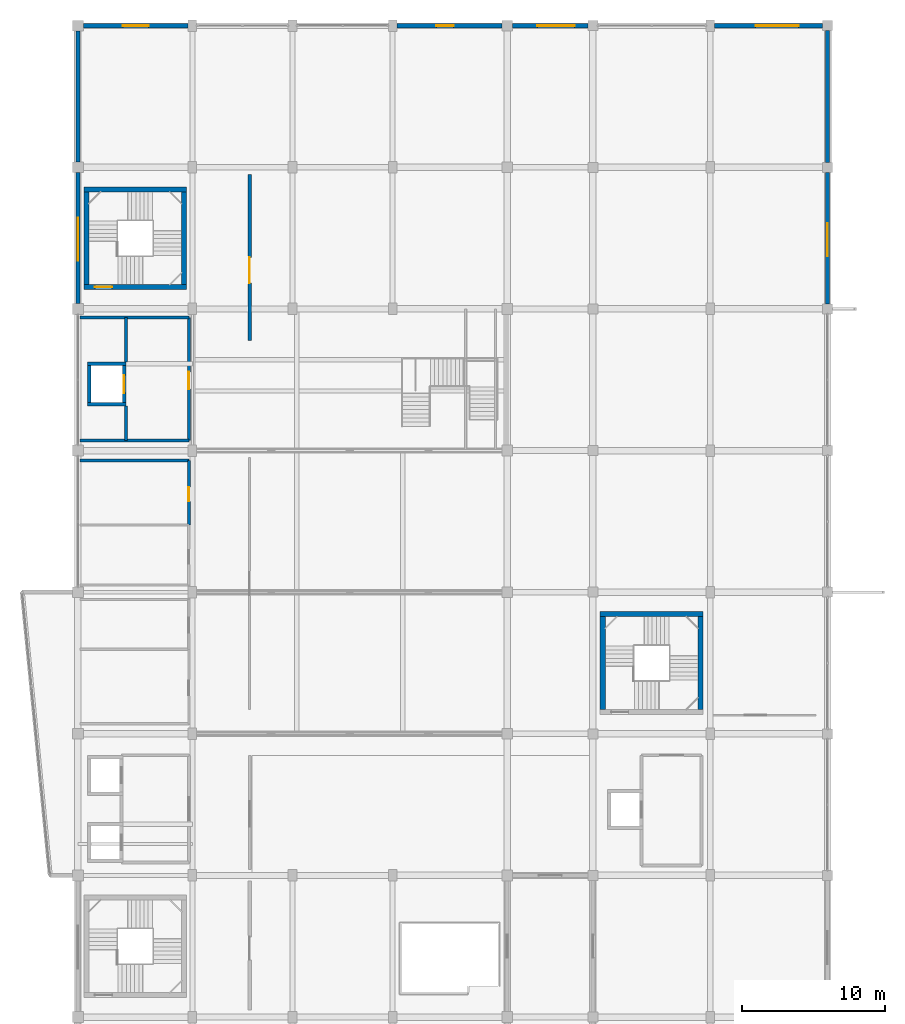
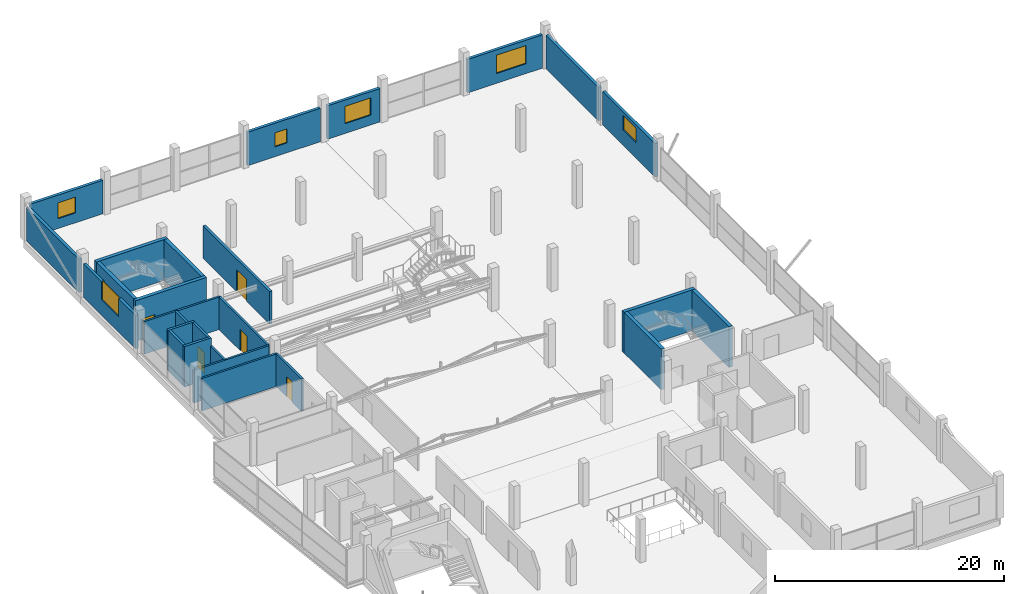
# One storey, part 38 of 49: 27 walls, 6 windows, 5 doors, 11 openings.
"""IFC4 building model written with IfcOpenShell, lengths in metres."""

from ifc_helpers import new_model, si_unit, direction, frame, frame_2d, origin, place, context, subcontext, project, spatial, rectangle, extrude, material, layer, layer_set, type_object, element, fill, save


model = new_model("IFC4")

# Units and contexts
model_context = context("Model", 3, precision=1e-05, world=origin(), true_north=direction((0.0, 1.0)))
body_context = subcontext(model_context, "Body", "Model", "MODEL_VIEW")
ifc_project = project(units=[si_unit("LENGTHUNIT", "METRE"), si_unit("AREAUNIT", "SQUARE_METRE"), si_unit("VOLUMEUNIT", "CUBIC_METRE"), si_unit("PLANEANGLEUNIT", "RADIAN"), si_unit("MASSUNIT", "GRAM", prefix="KILO")], contexts=[model_context])

# Site, building, storey
site_placement = place(None, origin())
site = spatial("IfcSite", under=ifc_project, at=site_placement, CompositionType="ELEMENT")
building_placement = place(site_placement, origin())
building = spatial("IfcBuilding", under=site, at=building_placement, Name="Sillaruma Civic Art Gallery", CompositionType="ELEMENT")
storey_placement = place(building_placement, frame((0.0, 0.0, 33.14990234375)))
storey = spatial("IfcBuildingStorey", under=building, at=storey_placement, Name="L06", CompositionType="ELEMENT", Elevation=33.14990234375)

# Wall, opening, door
ifc_material_1 = material(Name="Concrete H40 (40 MPa)", Category="concrete")
ifc_layer_1 = layer(ifc_material_1, 0.35009765625, Name="Concrete H40 (40 MPa)")
ifc_layer_set_1 = layer_set([ifc_layer_1], Name="Concrete H40 (40 MPa)")
wall_type_1 = type_object("IfcWallType", Name="WAL-CORE-350", PredefinedType="SHEAR", material=ifc_layer_set_1)
wall_1_placement = place(storey_placement, frame((62.409912109375, 80.735107421875, 0.0), z_axis=(0.0, 0.0, 1.0), x_axis=(1.0, 0.0, 0.0)))
wall_1 = element("IfcWall", 1, at=wall_1_placement, inside=storey, type_object=wall_type_1, Name="Stair Core Shear Wall W-CORE-350 (ST-02:L06:S)", PredefinedType="SHEAR", context=body_context, shape_type="SweptSolid", body=[
    extrude(rectangle(XDim=7.18017578125, YDim=0.35009765625, at=frame_2d((3.590087890625, 0.0))), origin(), (0.0, 0.0, 1.0), 4.35009765625),
])
opening_1_placement = place(wall_1_placement, frame((0.77001953125, 0.0, 0.0)))
opening_1 = element("IfcOpeningElement", 2, at=opening_1_placement, cuts=wall_1, Name="Opening D-STAIR", PredefinedType="OPENING", context=body_context, shape_type="SweptSolid", body=[
    extrude(rectangle(XDim=1.199951171875, YDim=2.199951171875, at=frame_2d((0.60009765625, 1.10009765625))), frame((0.0, 0.18505859375, 0.0), z_axis=(0.0, -1.0, 0.0), x_axis=(1.0, 0.0, 0.0)), (0.0, 0.0, 1.0), 0.3701171875),
])
ifc_material_2 = material(Name="Galvanised Steel ASTM A653 Gr.50", Category="steel")
door_type_1 = type_object("IfcDoorType", Name="DOR-STAIR-120", OperationType="NOTDEFINED", PredefinedType="DOOR", material=ifc_material_2)
door_1_placement = place(opening_1_placement, origin())
door_1 = element("IfcDoor", 3, at=door_1_placement, inside=storey, type_object=door_type_1, Name="Protected Stair Fire Door (ST-02:L06)", OperationType="SINGLE_SWING_RIGHT", OverallHeight=2.199951171875, OverallWidth=1.199951171875, PredefinedType="DOOR", context=body_context, shape_type="SweptSolid", body=[
    extrude(rectangle(XDim=1.199951171875, YDim=2.199951171875, at=frame_2d((0.60009765625, 1.10009765625))), frame((0.0, 0.02490234375, 0.0), z_axis=(0.0, -1.0, 0.0), x_axis=(1.0, 0.0, 0.0)), (0.0, 0.0, 1.0), 0.050048828125),
])
fill(opening_1, door_1)

# Walls
wall_2_placement = place(storey_placement, frame((62.409912109375, 87.56494140625, 0.0), z_axis=(0.0, 0.0, 1.0), x_axis=(1.0, 0.0, 0.0)))
element("IfcWall", 4, at=wall_2_placement, inside=storey, type_object=wall_type_1, Name="Stair Core Shear Wall W-CORE-350 (ST-02:L06:N)", PredefinedType="SHEAR", context=body_context, shape_type="SweptSolid", body=[
    extrude(rectangle(XDim=7.18017578125, YDim=0.35009765625, at=frame_2d((3.590087890625, 0.0))), origin(), (0.0, 0.0, 1.0), 4.35009765625),
])
for number, where, z_axis, x_axis, name in (
    (5, (62.5849609375, 80.909912109375, 0.0), (0.0, 0.0, 1.0), (0.0, 1.0, 0.0), "Stair Core Shear Wall W-CORE-350 (ST-02:L06:W)"),
    (6, (69.4150390625, 80.909912109375, 0.0), (0.0, 0.0, 1.0), (0.0, 1.0, 0.0), "Stair Core Shear Wall W-CORE-350 (ST-02:L06:E)"),
):
    element("IfcWall", number, at=place(storey_placement, frame(where, z_axis=z_axis, x_axis=x_axis)), inside=storey, type_object=wall_type_1, Name=name, PredefinedType="SHEAR", context=body_context, shape_type="SweptSolid", body=[
        extrude(rectangle(XDim=6.47998046875, YDim=0.35009765625, at=frame_2d((3.239990234375, 0.0))), origin(), (0.0, 0.0, 1.0), 4.35009765625),
    ])
wall_3_placement = place(storey_placement, frame((98.510009765625, 57.864990234375, 0.0), z_axis=(0.0, 0.0, 1.0), x_axis=(1.0, 0.0, 0.0)))
element("IfcWall", 7, at=wall_3_placement, inside=storey, type_object=wall_type_1, Name="Stair Core Shear Wall W-CORE-350 (ST-04:L06:N)", PredefinedType="SHEAR", context=body_context, shape_type="SweptSolid", body=[
    extrude(rectangle(XDim=7.179931640625, YDim=0.35009765625, at=frame_2d((3.58984375, 0.0))), origin(), (0.0, 0.0, 1.0), 4.35009765625),
])
for number, where, z_axis, x_axis, name in (
    (8, (98.68505859375, 51.2099609375, 0.0), (0.0, 0.0, 1.0), (0.0, 1.0, 0.0), "Stair Core Shear Wall W-CORE-350 (ST-04:L06:W)"),
    (9, (105.514892578125, 51.2099609375, 0.0), (0.0, 0.0, 1.0), (0.0, 1.0, 0.0), "Stair Core Shear Wall W-CORE-350 (ST-04:L06:E)"),
):
    element("IfcWall", number, at=place(storey_placement, frame(where, z_axis=z_axis, x_axis=x_axis)), inside=storey, type_object=wall_type_1, Name=name, PredefinedType="SHEAR", context=body_context, shape_type="SweptSolid", body=[
        extrude(rectangle(XDim=6.47998046875, YDim=0.35009765625, at=frame_2d((3.239990234375, 0.0))), origin(), (0.0, 0.0, 1.0), 4.35009765625),
    ])

# Wall, opening, window
ifc_material_3 = material(Name="Concrete H35 (35 MPa)", Category="concrete")
ifc_layer_2 = layer(ifc_material_3, 0.159912109375, Name="Concrete backup", Category="concrete")
ifc_material_4 = material(Name="Mineral Wool Thermal Insulation", Category="insulation")
ifc_layer_3 = layer(ifc_material_4, 0.090087890625, Name="Thermal insulation", Category="insulation")
ifc_material_5 = material(Name="Anodised Zinc-Aluminium Alloy", Category="aluminium")
ifc_layer_4 = layer(ifc_material_5, 0.030029296875, Name="Rainscreen finish", Category="aluminium")
ifc_layer_set_2 = layer_set([ifc_layer_2, ifc_layer_3, ifc_layer_4], Name="W-EXT-280")
wall_type_2 = type_object("IfcWallType", Name="WAL-EXT-280", PredefinedType="SOLIDWALL", material=ifc_layer_set_2)
wall_4_placement = place(storey_placement, frame((62.0, 79.574951171875, 0.0), z_axis=(0.0, 0.0, 1.0), x_axis=(0.0, 1.0, 0.0)))
wall_4 = element("IfcWall", 10, at=wall_4_placement, inside=storey, type_object=wall_type_2, Name="Exterior Wall W-EXT-280 (EW-L06-W-7)", PredefinedType="SOLIDWALL", context=body_context, shape_type="SweptSolid", body=[
    extrude(rectangle(XDim=9.150146484375, YDim=0.280029296875, at=frame_2d((4.5751953125, 0.0))), origin(), (0.0, 0.0, 1.0), 3.570068359375),
])
opening_2_placement = place(wall_4_placement, frame((3.0, 0.0, 1.64990234375)))
opening_2 = element("IfcOpeningElement", 11, at=opening_2_placement, cuts=wall_4, Name="Opening WN-10", PredefinedType="OPENING", context=body_context, shape_type="SweptSolid", body=[
    extrude(rectangle(XDim=3.0, YDim=1.949951171875, at=frame_2d((1.5, 0.97509765625))), frame((0.0, 0.14990234375, 0.0), z_axis=(0.0, -1.0, 0.0), x_axis=(1.0, 0.0, 0.0)), (0.0, 0.0, 1.0), 0.300048828125),
])
ifc_material_6 = material(Name="Thermally Broken Extruded Aluminium 6063-T6", Category="aluminium")
window_type_1 = type_object("IfcWindowType", Name="WIN-W10", PartitioningType="SINGLE_PANEL", PredefinedType="WINDOW", material=ifc_material_6)
window_1_placement = place(opening_2_placement, origin())
window_1 = element("IfcWindow", 12, at=window_1_placement, inside=storey, type_object=window_type_1, Name="Window WN-10 (EW-L06-W-7-1)", OverallHeight=1.949951171875, OverallWidth=3.0, PartitioningType="SINGLE_PANEL", PredefinedType="WINDOW", context=body_context, shape_type="SweptSolid", body=[
    extrude(rectangle(XDim=3.0, YDim=1.949951171875, at=frame_2d((1.5, 0.97509765625))), frame((0.0, 0.030029296875, 0.0), z_axis=(0.0, -1.0, 0.0), x_axis=(1.0, 0.0, 0.0)), (0.0, 0.0, 1.0), 0.06005859375),
])
fill(opening_2, window_1)

wall_5_placement = place(storey_placement, frame((114.39990234375, 79.550048828125, 0.0), z_axis=(0.0, 0.0, 1.0), x_axis=(0.0, 1.0, 0.0)))
wall_5 = element("IfcWall", 13, at=wall_5_placement, inside=storey, type_object=wall_type_2, Name="Exterior Wall W-EXT-280 (EW-L06-E-7)", PredefinedType="SOLIDWALL", context=body_context, shape_type="SweptSolid", body=[
    extrude(rectangle(XDim=9.199951171875, YDim=0.280029296875, at=frame_2d((4.60009765625, 0.0))), origin(), (0.0, 0.0, 1.0), 3.570068359375),
])
opening_3_placement = place(wall_5_placement, frame((3.35009765625, 0.0, 1.64990234375)))
opening_3 = element("IfcOpeningElement", 14, at=opening_3_placement, cuts=wall_5, Name="Opening WN-12", PredefinedType="OPENING", context=body_context, shape_type="SweptSolid", body=[
    extrude(rectangle(XDim=2.300048828125, YDim=1.550048828125, at=frame_2d((1.14990234375, 0.77490234375))), frame((0.0, 0.14990234375, 0.0), z_axis=(0.0, -1.0, 0.0), x_axis=(1.0, 0.0, 0.0)), (0.0, 0.0, 1.0), 0.300048828125),
])
window_type_2 = type_object("IfcWindowType", Name="WIN-W12", PartitioningType="SINGLE_PANEL", PredefinedType="WINDOW", material=ifc_material_6)
window_2_placement = place(opening_3_placement, origin())
window_2 = element("IfcWindow", 15, at=window_2_placement, inside=storey, type_object=window_type_2, Name="Window WN-12 (EW-L06-E-7-1)", OverallHeight=1.550048828125, OverallWidth=2.300048828125, PartitioningType="SINGLE_PANEL", PredefinedType="WINDOW", context=body_context, shape_type="SweptSolid", body=[
    extrude(rectangle(XDim=2.300048828125, YDim=1.550048828125, at=frame_2d((1.14990234375, 0.77490234375))), frame((0.0, 0.030029296875, 0.0), z_axis=(0.0, -1.0, 0.0), x_axis=(1.0, 0.0, 0.0)), (0.0, 0.0, 1.0), 0.06005859375),
])
fill(opening_3, window_2)

ifc_layer_5 = layer(ifc_material_3, 0.169921875, Name="Concrete backup", Category="concrete")
ifc_layer_6 = layer(ifc_material_4, 0.090087890625, Name="Thermal insulation", Category="insulation")
ifc_layer_7 = layer(ifc_material_5, 0.030029296875, Name="Rainscreen finish", Category="aluminium")
ifc_layer_set_3 = layer_set([ifc_layer_5, ifc_layer_6, ifc_layer_7], Name="W-EXT-290")
wall_type_3 = type_object("IfcWallType", Name="WAL-EXT-290", PredefinedType="SOLIDWALL", material=ifc_layer_set_3)
wall_6_placement = place(storey_placement, frame((62.375, 99.0, 0.0), z_axis=(0.0, 0.0, 1.0), x_axis=(1.0, 0.0, 0.0)))
wall_6 = element("IfcWall", 16, at=wall_6_placement, inside=storey, type_object=wall_type_3, Name="Exterior Wall W-EXT-290 (EW-L06-N-1)", PredefinedType="SOLIDWALL", context=body_context, shape_type="SweptSolid", body=[
    extrude(rectangle(XDim=7.324951171875, YDim=0.2900390625, at=frame_2d((3.66259765625, 0.0))), origin(), (0.0, 0.0, 1.0), 3.570068359375),
])
opening_4_placement = place(wall_6_placement, frame((2.762939453125, 0.0, 1.050048828125)))
opening_4 = element("IfcOpeningElement", 17, at=opening_4_placement, cuts=wall_6, Name="Opening WN-04", PredefinedType="OPENING", context=body_context, shape_type="SweptSolid", body=[
    extrude(rectangle(XDim=1.800048828125, YDim=1.699951171875, at=frame_2d((0.89990234375, 0.85009765625))), frame((0.0, 0.155029296875, 0.0), z_axis=(0.0, -1.0, 0.0), x_axis=(1.0, 0.0, 0.0)), (0.0, 0.0, 1.0), 0.31005859375),
])
window_type_3 = type_object("IfcWindowType", Name="WIN-W04", PartitioningType="SINGLE_PANEL", PredefinedType="WINDOW", material=ifc_material_6)
window_3_placement = place(opening_4_placement, origin())
window_3 = element("IfcWindow", 18, at=window_3_placement, inside=storey, type_object=window_type_3, Name="Window WN-04 (EW-L06-N-1-1)", OverallHeight=1.699951171875, OverallWidth=1.800048828125, PartitioningType="SINGLE_PANEL", PredefinedType="WINDOW", context=body_context, shape_type="SweptSolid", body=[
    extrude(rectangle(XDim=1.800048828125, YDim=1.699951171875, at=frame_2d((0.89990234375, 0.85009765625))), frame((0.0, 0.030029296875, 0.0), z_axis=(0.0, -1.0, 0.0), x_axis=(1.0, 0.0, 0.0)), (0.0, 0.0, 1.0), 0.06005859375),
])
fill(opening_4, window_3)

wall_7_placement = place(storey_placement, frame((84.300048828125, 99.0, 0.0), z_axis=(0.0, 0.0, 1.0), x_axis=(1.0, 0.0, 0.0)))
wall_7 = element("IfcWall", 19, at=wall_7_placement, inside=storey, type_object=wall_type_3, Name="Exterior Wall W-EXT-290 (EW-L06-N-4)", PredefinedType="SOLIDWALL", context=body_context, shape_type="SweptSolid", body=[
    extrude(rectangle(XDim=7.324951171875, YDim=0.2900390625, at=frame_2d((3.66259765625, 0.0))), origin(), (0.0, 0.0, 1.0), 3.570068359375),
])
opening_5_placement = place(wall_7_placement, frame((2.762939453125, 0.0, 1.050048828125)))
opening_5 = element("IfcOpeningElement", 20, at=opening_5_placement, cuts=wall_7, Name="Opening WN-07", PredefinedType="OPENING", context=body_context, shape_type="SweptSolid", body=[
    extrude(rectangle(XDim=1.199951171875, YDim=1.5, at=frame_2d((0.60009765625, 0.75))), frame((0.0, 0.155029296875, 0.0), z_axis=(0.0, -1.0, 0.0), x_axis=(1.0, 0.0, 0.0)), (0.0, 0.0, 1.0), 0.31005859375),
])
window_type_4 = type_object("IfcWindowType", Name="WIN-W07", PartitioningType="SINGLE_PANEL", PredefinedType="WINDOW", material=ifc_material_6)
window_4_placement = place(opening_5_placement, origin())
window_4 = element("IfcWindow", 21, at=window_4_placement, inside=storey, type_object=window_type_4, Name="Window WN-07 (EW-L06-N-4-1)", OverallHeight=1.5, OverallWidth=1.199951171875, PartitioningType="SINGLE_PANEL", PredefinedType="WINDOW", context=body_context, shape_type="SweptSolid", body=[
    extrude(rectangle(XDim=1.199951171875, YDim=1.5, at=frame_2d((0.60009765625, 0.75))), frame((0.0, 0.030029296875, 0.0), z_axis=(0.0, -1.0, 0.0), x_axis=(1.0, 0.0, 0.0)), (0.0, 0.0, 1.0), 0.06005859375),
])
fill(opening_5, window_4)

wall_8_placement = place(storey_placement, frame((92.375, 99.0, 0.0), z_axis=(0.0, 0.0, 1.0), x_axis=(1.0, 0.0, 0.0)))
wall_8 = element("IfcWall", 22, at=wall_8_placement, inside=storey, type_object=wall_type_3, Name="Exterior Wall W-EXT-290 (EW-L06-N-5)", PredefinedType="SOLIDWALL", context=body_context, shape_type="SweptSolid", body=[
    extrude(rectangle(XDim=5.27490234375, YDim=0.2900390625, at=frame_2d((2.637451171875, 0.0))), origin(), (0.0, 0.0, 1.0), 3.570068359375),
])
opening_6_placement = place(wall_8_placement, frame((1.738037109375, 0.0, 1.050048828125)))
opening_6 = element("IfcOpeningElement", 23, at=opening_6_placement, cuts=wall_8, Name="Opening WN-08", PredefinedType="OPENING", context=body_context, shape_type="SweptSolid", body=[
    extrude(rectangle(XDim=2.60009765625, YDim=1.85009765625, at=frame_2d((1.300048828125, 0.925048828125))), frame((0.0, 0.155029296875, 0.0), z_axis=(0.0, -1.0, 0.0), x_axis=(1.0, 0.0, 0.0)), (0.0, 0.0, 1.0), 0.31005859375),
])
window_type_5 = type_object("IfcWindowType", Name="WIN-W08", PartitioningType="SINGLE_PANEL", PredefinedType="WINDOW", material=ifc_material_6)
window_5_placement = place(opening_6_placement, origin())
window_5 = element("IfcWindow", 24, at=window_5_placement, inside=storey, type_object=window_type_5, Name="Window WN-08 (EW-L06-N-5-1)", OverallHeight=1.85009765625, OverallWidth=2.60009765625, PartitioningType="SINGLE_PANEL", PredefinedType="WINDOW", context=body_context, shape_type="SweptSolid", body=[
    extrude(rectangle(XDim=2.60009765625, YDim=1.85009765625, at=frame_2d((1.300048828125, 0.925048828125))), frame((0.0, 0.030029296875, 0.0), z_axis=(0.0, -1.0, 0.0), x_axis=(1.0, 0.0, 0.0)), (0.0, 0.0, 1.0), 0.06005859375),
])
fill(opening_6, window_5)

wall_9_placement = place(storey_placement, frame((106.5, 99.0, 0.0), z_axis=(0.0, 0.0, 1.0), x_axis=(1.0, 0.0, 0.0)))
wall_9 = element("IfcWall", 25, at=wall_9_placement, inside=storey, type_object=wall_type_3, Name="Exterior Wall W-EXT-290 (EW-L06-N-7)", PredefinedType="SOLIDWALL", context=body_context, shape_type="SweptSolid", body=[
    extrude(rectangle(XDim=7.550048828125, YDim=0.2900390625, at=frame_2d((3.77490234375, 0.0))), origin(), (0.0, 0.0, 1.0), 3.570068359375),
])
opening_7_placement = place(wall_9_placement, frame((2.875, 0.0, 1.050048828125)))
opening_7 = element("IfcOpeningElement", 26, at=opening_7_placement, cuts=wall_9, Name="Opening WN-10", PredefinedType="OPENING", context=body_context, shape_type="SweptSolid", body=[
    extrude(rectangle(XDim=3.0, YDim=1.949951171875, at=frame_2d((1.5, 0.97509765625))), frame((0.0, 0.155029296875, 0.0), z_axis=(0.0, -1.0, 0.0), x_axis=(1.0, 0.0, 0.0)), (0.0, 0.0, 1.0), 0.31005859375),
])
window_6_placement = place(opening_7_placement, origin())
window_6 = element("IfcWindow", 27, at=window_6_placement, inside=storey, type_object=window_type_1, Name="Window WN-10 (EW-L06-N-7-1)", OverallHeight=1.949951171875, OverallWidth=3.0, PartitioningType="SINGLE_PANEL", PredefinedType="WINDOW", context=body_context, shape_type="SweptSolid", body=[
    extrude(rectangle(XDim=3.0, YDim=1.949951171875, at=frame_2d((1.5, 0.97509765625))), frame((0.0, 0.030029296875, 0.0), z_axis=(0.0, -1.0, 0.0), x_axis=(1.0, 0.0, 0.0)), (0.0, 0.0, 1.0), 0.06005859375),
])
fill(opening_7, window_6)

# Walls
ifc_material_7 = material(Name="Precast Concrete H35 (35 MPa)", Category="concrete")
ifc_layer_8 = layer(ifc_material_7, 0.179931640625, Name="Precast backup", Category="concrete")
ifc_layer_9 = layer(ifc_material_4, 0.090087890625, Name="Thermal insulation", Category="insulation")
ifc_material_8 = material(Name="Comanche Granitic Ashlar Stone", Category="masonry")
ifc_layer_10 = layer(ifc_material_8, 0.030029296875, Name="Rainscreen cladding", Category="masonry")
ifc_layer_set_4 = layer_set([ifc_layer_8, ifc_layer_9, ifc_layer_10], Name="W-EXT-300")
wall_type_4 = type_object("IfcWallType", Name="WAL-EXT-300", PredefinedType="SOLIDWALL", material=ifc_layer_set_4)
wall_10_placement = place(storey_placement, frame((62.0, 89.47509765625, 0.0), z_axis=(0.0, 0.0, 1.0), x_axis=(0.0, 1.0, 0.0)))
element("IfcWall", 28, at=wall_10_placement, inside=storey, type_object=wall_type_4, Name="Exterior Wall W-EXT-300 (EW-L06-W-8)", PredefinedType="SOLIDWALL", context=body_context, shape_type="SweptSolid", body=[
    extrude(rectangle(XDim=9.14990234375, YDim=0.300048828125, at=frame_2d((4.574951171875, 0.0))), origin(), (0.0, 0.0, 1.0), 3.570068359375),
])
wall_11_placement = place(storey_placement, frame((114.39990234375, 89.449951171875, 0.0), z_axis=(0.0, 0.0, 1.0), x_axis=(0.0, 1.0, 0.0)))
element("IfcWall", 29, at=wall_11_placement, inside=storey, type_object=wall_type_4, Name="Exterior Wall W-EXT-300 (EW-L06-E-8)", PredefinedType="SOLIDWALL", context=body_context, shape_type="SweptSolid", body=[
    extrude(rectangle(XDim=9.199951171875, YDim=0.300048828125, at=frame_2d((4.60009765625, 0.0))), origin(), (0.0, 0.0, 1.0), 3.570068359375),
])
ifc_material_9 = material(Name="Concrete Masonry Unit Grade M15", Category="masonry")
ifc_layer_11 = layer(ifc_material_9, 0.199951171875, Name="Concrete Masonry Unit Grade M15")
ifc_layer_set_5 = layer_set([ifc_layer_11], Name="Concrete Masonry Unit Grade M15")
wall_type_5 = type_object("IfcWallType", Name="WAL-LOBBY-200", PredefinedType="SOLIDWALL", material=ifc_layer_set_5)
for number, where, z_axis, x_axis, name in (
    (30, (62.14990234375, 70.0, 0.0), (0.0, 0.0, 1.0), (1.0, 0.0, 0.0), "Interior Wall W-LOBBY-200 (L06-FFL)"),
    (31, (62.14990234375, 78.60009765625, 0.0), (0.0, 0.0, 1.0), (1.0, 0.0, 0.0), "Interior Wall W-LOBBY-200 (L06-FFL)"),
):
    element("IfcWall", number, at=place(storey_placement, frame(where, z_axis=z_axis, x_axis=x_axis)), inside=storey, type_object=wall_type_5, Name=name, PredefinedType="SOLIDWALL", context=body_context, shape_type="SweptSolid", body=[
        extrude(rectangle(XDim=7.60009765625, YDim=0.199951171875, at=frame_2d((3.800048828125, 0.0))), origin(), (0.0, 0.0, 1.0), 3.47021484375),
    ])
wall_12_placement = place(storey_placement, frame((65.35009765625, 70.0, 0.0), z_axis=(0.0, 0.0, 1.0), x_axis=(0.0, 1.0, 0.0)))
element("IfcWall", 32, at=wall_12_placement, inside=storey, type_object=wall_type_5, Name="Interior Wall W-LOBBY-200 (L06-FFL)", PredefinedType="SOLIDWALL", context=body_context, shape_type="SweptSolid", body=[
    extrude(rectangle(XDim=2.39990234375, YDim=0.199951171875, at=frame_2d((1.199951171875, 0.0))), origin(), (0.0, 0.0, 1.0), 3.47021484375),
])
wall_13_placement = place(storey_placement, frame((65.35009765625, 75.5, 0.0), z_axis=(0.0, 0.0, 1.0), x_axis=(0.0, 1.0, 0.0)))
element("IfcWall", 33, at=wall_13_placement, inside=storey, type_object=wall_type_5, Name="Interior Wall W-LOBBY-200 (L06-FFL)", PredefinedType="SOLIDWALL", context=body_context, shape_type="SweptSolid", body=[
    extrude(rectangle(XDim=3.10009765625, YDim=0.199951171875, at=frame_2d((1.550048828125, 0.0))), origin(), (0.0, 0.0, 1.0), 3.47021484375),
])

# Wall, opening, door
wall_14_placement = place(storey_placement, frame((69.75, 70.0, 0.0), z_axis=(0.0, 0.0, 1.0), x_axis=(0.0, 1.0, 0.0)))
wall_14 = element("IfcWall", 34, at=wall_14_placement, inside=storey, type_object=wall_type_5, Name="Interior Wall W-LOBBY-200 (L06-FFL)", PredefinedType="SOLIDWALL", context=body_context, shape_type="SweptSolid", body=[
    extrude(rectangle(XDim=8.60009765625, YDim=0.199951171875, at=frame_2d((4.300048828125, 0.0))), origin(), (0.0, 0.0, 1.0), 3.47021484375),
])
opening_8_placement = place(wall_14_placement, frame((3.60009765625, 0.0, 0.0)))
opening_8 = element("IfcOpeningElement", 35, at=opening_8_placement, cuts=wall_14, Name="Opening D-FFL", PredefinedType="OPENING", context=body_context, shape_type="SweptSolid", body=[
    extrude(rectangle(XDim=1.199951171875, YDim=2.25, at=frame_2d((0.60009765625, 1.125))), frame((0.0, 0.10986328125, 0.0), z_axis=(0.0, -1.0, 0.0), x_axis=(1.0, 0.0, 0.0)), (0.0, 0.0, 1.0), 0.219970703125),
])
door_type_2 = type_object("IfcDoorType", Name="DOR-FFL-120", OperationType="NOTDEFINED", PredefinedType="DOOR", material=ifc_material_2)
door_2_placement = place(opening_8_placement, origin())
door_2 = element("IfcDoor", 36, at=door_2_placement, inside=storey, type_object=door_type_2, Name="Firefighting Lobby Door (D-FFL)", OperationType="SINGLE_SWING_LEFT", OverallHeight=2.25, OverallWidth=1.199951171875, PredefinedType="DOOR", context=body_context, shape_type="SweptSolid", body=[
    extrude(rectangle(XDim=1.199951171875, YDim=2.25, at=frame_2d((0.60009765625, 1.125))), frame((0.0, 0.02490234375, 0.0), z_axis=(0.0, -1.0, 0.0), x_axis=(1.0, 0.0, 0.0)), (0.0, 0.0, 1.0), 0.050048828125),
])
fill(opening_8, door_2)

# Wall
wall_15_placement = place(storey_placement, frame((62.14990234375, 68.60009765625, 0.0), z_axis=(0.0, 0.0, 1.0), x_axis=(1.0, 0.0, 0.0)))
element("IfcWall", 37, at=wall_15_placement, inside=storey, type_object=wall_type_5, Name="Interior Wall W-LOBBY-200 (L06-RSR)", PredefinedType="SOLIDWALL", context=body_context, shape_type="SweptSolid", body=[
    extrude(rectangle(XDim=7.60009765625, YDim=0.199951171875, at=frame_2d((3.800048828125, 0.0))), origin(), (0.0, 0.0, 1.0), 3.47021484375),
])

# Wall, opening, door
wall_16_placement = place(storey_placement, frame((69.75, 64.10009765625, 0.0), z_axis=(0.0, 0.0, 1.0), x_axis=(0.0, 1.0, 0.0)))
wall_16 = element("IfcWall", 38, at=wall_16_placement, inside=storey, type_object=wall_type_5, Name="Interior Wall W-LOBBY-200 (L06-RSR)", PredefinedType="SOLIDWALL", context=body_context, shape_type="SweptSolid", body=[
    extrude(rectangle(XDim=4.5, YDim=0.199951171875, at=frame_2d((2.25, 0.0))), origin(), (0.0, 0.0, 1.0), 3.47021484375),
])
opening_9_placement = place(wall_16_placement, frame((1.64990234375, 0.0, 0.0)))
opening_9 = element("IfcOpeningElement", 39, at=opening_9_placement, cuts=wall_16, Name="Opening D-RISER", PredefinedType="OPENING", context=body_context, shape_type="SweptSolid", body=[
    extrude(rectangle(XDim=1.0, YDim=2.14990234375, at=frame_2d((0.5, 1.074951171875))), frame((0.0, 0.10986328125, 0.0), z_axis=(0.0, -1.0, 0.0), x_axis=(1.0, 0.0, 0.0)), (0.0, 0.0, 1.0), 0.219970703125),
])
door_type_3 = type_object("IfcDoorType", Name="DOR-RISER-100", OperationType="NOTDEFINED", PredefinedType="DOOR", material=ifc_material_2)
door_3_placement = place(opening_9_placement, origin())
door_3 = element("IfcDoor", 40, at=door_3_placement, inside=storey, type_object=door_type_3, Name="MEP Service Riser Door (D-RISER)", OperationType="SINGLE_SWING_LEFT", OverallHeight=2.14990234375, OverallWidth=1.0, PredefinedType="DOOR", context=body_context, shape_type="SweptSolid", body=[
    extrude(rectangle(XDim=1.0, YDim=2.14990234375, at=frame_2d((0.5, 1.074951171875))), frame((0.0, 0.02490234375, 0.0), z_axis=(0.0, -1.0, 0.0), x_axis=(1.0, 0.0, 0.0)), (0.0, 0.0, 1.0), 0.050048828125),
])
fill(opening_9, door_3)

# Walls
ifc_layer_12 = layer(ifc_material_1, 0.25, Name="Concrete H40 (40 MPa)")
ifc_layer_set_6 = layer_set([ifc_layer_12], Name="Concrete H40 (40 MPa)")
wall_type_6 = type_object("IfcWallType", Name="WAL-SHAFT-250", PredefinedType="SOLIDWALL", material=ifc_layer_set_6)
for number, where, z_axis, x_axis, name in (
    (41, (62.64990234375, 72.52490234375, 0.0), (0.0, 0.0, 1.0), (1.0, 0.0, 0.0), "Lift Shaft Wall W-SHAFT-250 (FFL-01:L06:S)"),
    (42, (62.64990234375, 75.375, 0.0), (0.0, 0.0, 1.0), (1.0, 0.0, 0.0), "Lift Shaft Wall W-SHAFT-250 (FFL-01:L06:N)"),
):
    element("IfcWall", number, at=place(storey_placement, frame(where, z_axis=z_axis, x_axis=x_axis)), inside=storey, type_object=wall_type_6, Name=name, PredefinedType="SOLIDWALL", context=body_context, shape_type="SweptSolid", body=[
        extrude(rectangle(XDim=2.7001953125, YDim=0.25, at=frame_2d((1.35009765625, 0.0))), origin(), (0.0, 0.0, 1.0), 4.330078125),
    ])
wall_17_placement = place(storey_placement, frame((62.77490234375, 72.64990234375, 0.0), z_axis=(0.0, 0.0, 1.0), x_axis=(0.0, 1.0, 0.0)))
element("IfcWall", 43, at=wall_17_placement, inside=storey, type_object=wall_type_6, Name="Lift Shaft Wall W-SHAFT-250 (FFL-01:L06:W)", PredefinedType="SOLIDWALL", context=body_context, shape_type="SweptSolid", body=[
    extrude(rectangle(XDim=2.60009765625, YDim=0.25, at=frame_2d((1.300048828125, 0.0))), origin(), (0.0, 0.0, 1.0), 4.330078125),
])

# Wall, opening, door
wall_18_placement = place(storey_placement, frame((65.22509765625, 72.64990234375, 0.0), z_axis=(0.0, 0.0, 1.0), x_axis=(0.0, 1.0, 0.0)))
wall_18 = element("IfcWall", 44, at=wall_18_placement, inside=storey, type_object=wall_type_6, Name="Lift Shaft Wall W-SHAFT-250 (FFL-01:L06:E)", PredefinedType="SOLIDWALL", context=body_context, shape_type="SweptSolid", body=[
    extrude(rectangle(XDim=2.60009765625, YDim=0.25, at=frame_2d((1.300048828125, 0.0))), origin(), (0.0, 0.0, 1.0), 4.330078125),
])
opening_10_placement = place(wall_18_placement, frame((0.675048828125, 0.0, 0.0)))
opening_10 = element("IfcOpeningElement", 45, at=opening_10_placement, cuts=wall_18, Name="Opening LD-02", PredefinedType="OPENING", context=body_context, shape_type="SweptSolid", body=[
    extrude(rectangle(XDim=1.25, YDim=2.199951171875, at=frame_2d((0.625, 1.10009765625))), frame((0.0, 0.135009765625, 0.0), z_axis=(0.0, -1.0, 0.0), x_axis=(1.0, 0.0, 0.0)), (0.0, 0.0, 1.0), 0.27001953125),
])
door_type_4 = type_object("IfcDoorType", Name="DOR-LD-02", OperationType="NOTDEFINED", PredefinedType="DOOR", material=ifc_material_2)
door_4_placement = place(opening_10_placement, origin())
door_4 = element("IfcDoor", 46, at=door_4_placement, inside=storey, type_object=door_type_4, Name="Lift Sliding Landing Door LD-02 (FFL-01:L06)", OperationType="DOUBLE_DOOR_SLIDING", OverallHeight=2.199951171875, OverallWidth=1.25, PredefinedType="DOOR", context=body_context, shape_type="SweptSolid", body=[
    extrude(rectangle(XDim=1.25, YDim=2.199951171875, at=frame_2d((0.625, 1.10009765625))), frame((0.0, 0.02490234375, 0.0), z_axis=(0.0, -1.0, 0.0), x_axis=(1.0, 0.0, 0.0)), (0.0, 0.0, 1.0), 0.050048828125),
])
fill(opening_10, door_4)

ifc_layer_13 = layer(ifc_material_9, 0.2548828125, Name="Concrete Masonry Unit Grade M15")
ifc_layer_set_7 = layer_set([ifc_layer_13], Name="Concrete Masonry Unit Grade M15")
wall_type_7 = type_object("IfcWallType", Name="WAL-STORE-250", PredefinedType="SOLIDWALL", material=ifc_layer_set_7)
wall_19_placement = place(storey_placement, frame((74.0, 77.0, 0.0), z_axis=(0.0, 0.0, 1.0), x_axis=(0.0, 1.0, 0.0)))
wall_19 = element("IfcWall", 47, at=wall_19_placement, inside=storey, type_object=wall_type_7, Name="Interior Wall W-STORE-250 (L06-STR61)", PredefinedType="SOLIDWALL", context=body_context, shape_type="SweptSolid", body=[
    extrude(rectangle(XDim=11.60009765625, YDim=0.2548828125, at=frame_2d((5.800048828125, 0.0))), origin(), (0.0, 0.0, 1.0), 3.47021484375),
])
opening_11_placement = place(wall_19_placement, frame((4.0, 0.0, 0.0)))
opening_11 = element("IfcOpeningElement", 48, at=opening_11_placement, cuts=wall_19, Name="Opening D-STR18", PredefinedType="OPENING", context=body_context, shape_type="SweptSolid", body=[
    extrude(rectangle(XDim=1.800048828125, YDim=2.35009765625, at=frame_2d((0.89990234375, 1.175048828125))), frame((0.0, 0.137451171875, 0.0), z_axis=(0.0, -1.0, 0.0), x_axis=(1.0, 0.0, 0.0)), (0.0, 0.0, 1.0), 0.27490234375),
])
door_type_5 = type_object("IfcDoorType", Name="DOR-STORE-180", OperationType="NOTDEFINED", PredefinedType="DOOR", material=ifc_material_2)
door_5_placement = place(opening_11_placement, origin())
door_5 = element("IfcDoor", 49, at=door_5_placement, inside=storey, type_object=door_type_5, Name="North Conservation Vault Art Store Door (D-STR18)", OperationType="DOUBLE_DOOR_SINGLE_SWING", OverallHeight=2.35009765625, OverallWidth=1.800048828125, PredefinedType="DOOR", context=body_context, shape_type="SweptSolid", body=[
    extrude(rectangle(XDim=1.800048828125, YDim=2.35009765625, at=frame_2d((0.89990234375, 1.175048828125))), frame((0.0, 0.02490234375, 0.0), z_axis=(0.0, -1.0, 0.0), x_axis=(1.0, 0.0, 0.0)), (0.0, 0.0, 1.0), 0.050048828125),
])
fill(opening_11, door_5)

save(model, "model.ifc")
